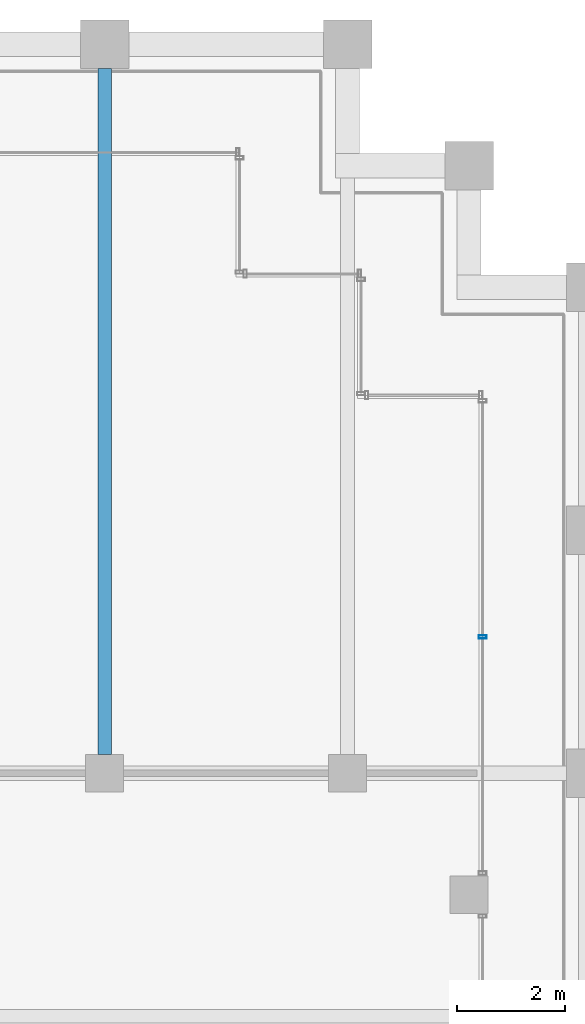
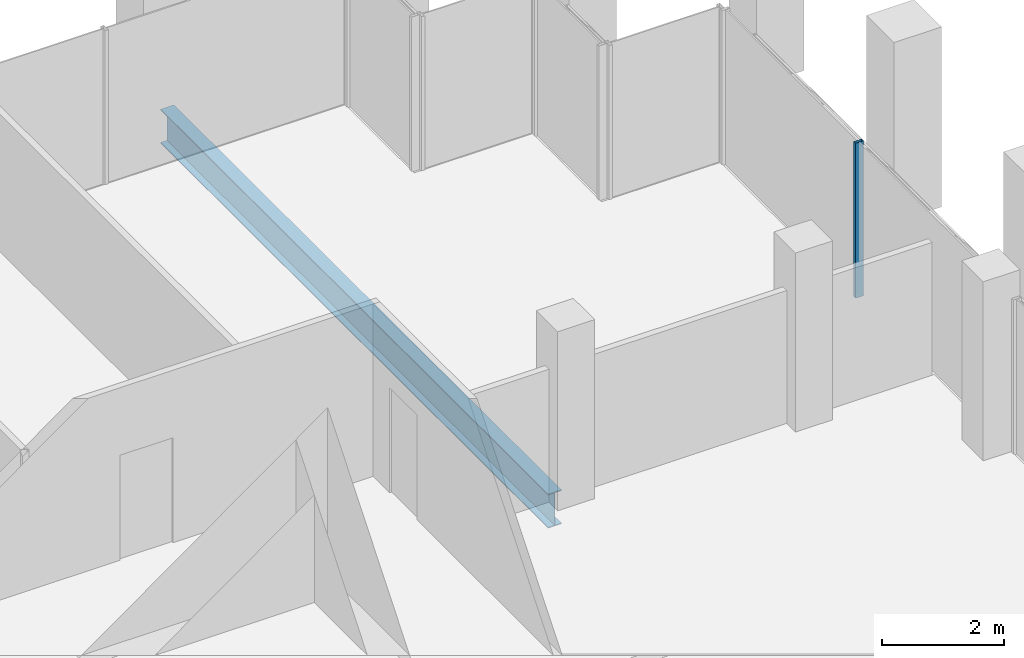
# One storey, part 24 of 40: 1 beam, 1 member, 1 element without a shape of its own.
"""IFC4 building model written with IfcOpenShell, lengths in metres."""

from ifc_helpers import new_model, si_unit, direction, frame, origin, origin_2d, place, context, subcontext, project, spatial, hollow_rectangle, i_section, extrude, material, material_profile, profile_set, type_object, element, aggregate, save


model = new_model("IFC4")

# Units and contexts
model_context = context("Model", 3, precision=1e-05, world=origin(), true_north=direction((0.0, 1.0)))
body_context = subcontext(model_context, "Body", "Model", "MODEL_VIEW")
ifc_project = project(units=[si_unit("LENGTHUNIT", "METRE"), si_unit("AREAUNIT", "SQUARE_METRE"), si_unit("VOLUMEUNIT", "CUBIC_METRE"), si_unit("PLANEANGLEUNIT", "RADIAN"), si_unit("MASSUNIT", "GRAM", prefix="KILO")], contexts=[model_context])

# Site, building, storey
site_placement = place(None, origin())
site = spatial("IfcSite", under=ifc_project, at=site_placement, CompositionType="ELEMENT")
building_placement = place(site_placement, origin())
building = spatial("IfcBuilding", under=site, at=building_placement, Name="Altepetl Exchange Towers", CompositionType="ELEMENT")
storey_placement = place(building_placement, frame((0.0, 0.0, 165.39990234375)))
storey = spatial("IfcBuildingStorey", under=building, at=storey_placement, Name="L41", CompositionType="ELEMENT", Elevation=165.39990234375)

# Beam
ifc_material_1 = material(Name="Steel S355", Category="steel")
ifc_material_profile_1 = material_profile(ifc_material_1, i_section(OverallWidth=0.25390625, OverallDepth=0.68408203125, WebThickness=0.012451171875, FlangeThickness=0.018798828125, at=origin_2d()), Name="W27X94")
ifc_profile_set_1 = profile_set([ifc_material_profile_1], Name="Steel S355")
beam_type = type_object("IfcBeamType", Name="Floor beam W27X94", PredefinedType="BEAM", material=ifc_profile_set_1)
beam_placement = place(storey_placement, frame((63.0, 58.85009765625, -0.491943359375), z_axis=(0.0, 1.0, 0.0), x_axis=(-1.0, 0.0, 0.0)))
element("IfcBeam", 1, at=beam_placement, inside=storey, type_object=beam_type, Name="bm:A:L41:004", PredefinedType="BEAM", context=body_context, shape_type="SweptSolid", body=[
    extrude(i_section(OverallWidth=0.25390625, OverallDepth=0.68408203125, WebThickness=0.012451171875, FlangeThickness=0.018798828125, at=origin_2d()), origin(), (0.0, 0.0, 1.0), 12.699951171875),
])

# Curtain wall, member
ifc_material_2 = material(Name="Aluminium 6063-T6 glazing", Category="aluminium")
curtain_wall_type = type_object("IfcCurtainWallType", Name="Loggia glazing system", PredefinedType="NOTDEFINED", material=ifc_material_2)
curtain_wall_placement = place(storey_placement, origin())
curtain_wall = element("IfcCurtainWall", 2, at=curtain_wall_placement, inside=storey, type_object=curtain_wall_type, Name="CW1 run", PredefinedType="NOTDEFINED")
ifc_material_3 = material(Name="Aluminium 6063-T6", Category="aluminium")
ifc_material_profile_2 = material_profile(ifc_material_3, hollow_rectangle(XDim=0.06005859375, YDim=0.14990234375, WallThickness=0.0029296875, at=origin_2d()), Name="Mullion 60x150 aluminium")
ifc_profile_set_2 = profile_set([ifc_material_profile_2], Name="Aluminium 6063-T6")
member_type = type_object("IfcMemberType", Name="Mullion 60x150 aluminium", PredefinedType="MULLION", material=ifc_profile_set_2)
member_placement = place(storey_placement, frame((70.0, 61.0224609375, 0.0), z_axis=(0.0, 0.0, 1.0), x_axis=(0.0, 1.0, 0.0)))
member = element("IfcMember", 3, at=member_placement, type_object=member_type, Name="MU1 mullion", PredefinedType="MULLION", context=body_context, shape_type="SweptSolid", body=[
    extrude(hollow_rectangle(XDim=0.06005859375, YDim=0.14990234375, WallThickness=0.0029296875, at=origin_2d()), origin(), (0.0, 0.0, 1.0), 3.10009765625),
])
aggregate(curtain_wall, [member])

save(model, "model.ifc")
